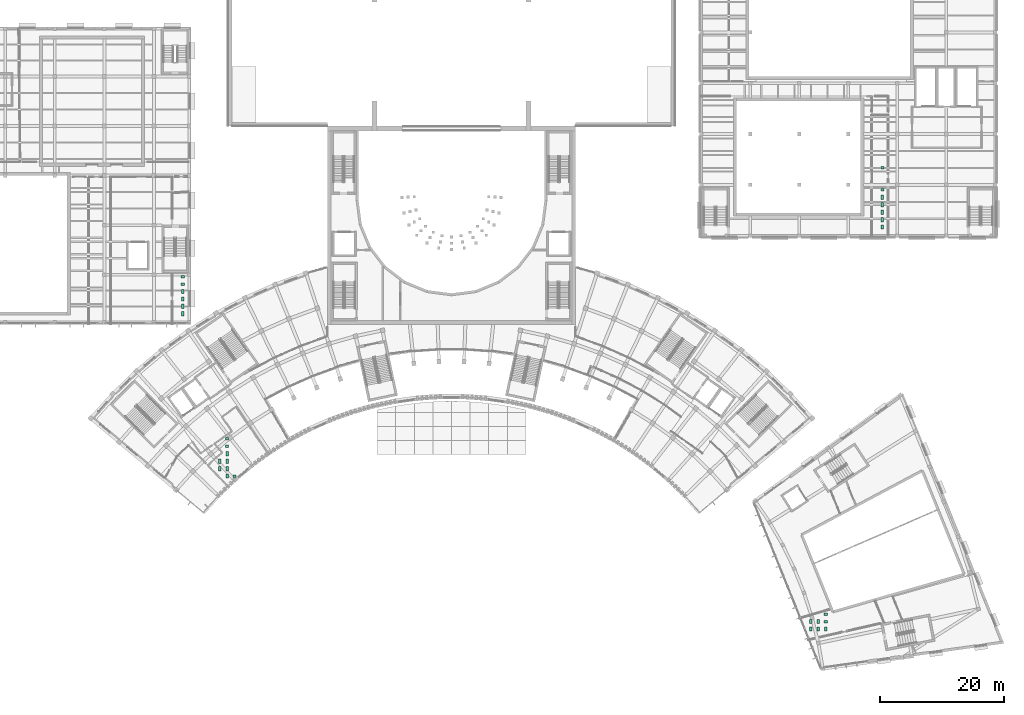
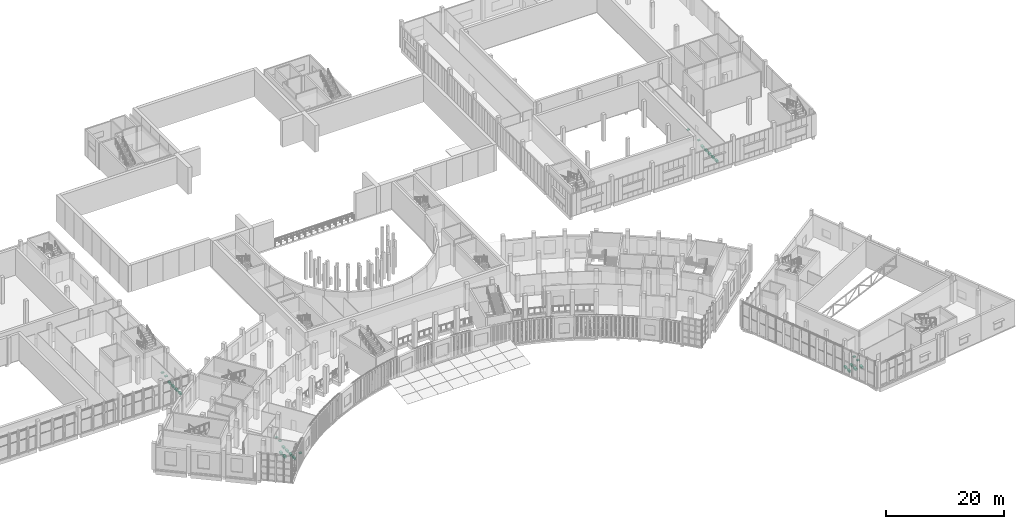
# One storey, part 112 of 112: 29 sanitary terminals.
"""IFC4 building model written with IfcOpenShell, lengths in metres."""

from ifc_helpers import new_model, si_unit, direction, frame, origin, origin_2d, place, context, subcontext, project, spatial, rectangle, extrude, material, type_object, element, save


model = new_model("IFC4")

# Units and contexts
model_context = context("Model", 3, precision=1e-05, world=origin(), true_north=direction((0.0, 1.0)))
body_context = subcontext(model_context, "Body", "Model", "MODEL_VIEW")
ifc_project = project(units=[si_unit("LENGTHUNIT", "METRE"), si_unit("AREAUNIT", "SQUARE_METRE"), si_unit("VOLUMEUNIT", "CUBIC_METRE"), si_unit("PLANEANGLEUNIT", "RADIAN"), si_unit("MASSUNIT", "GRAM", prefix="KILO")], contexts=[model_context])

# Site, building, storey
site_placement = place(None, origin())
site = spatial("IfcSite", under=ifc_project, at=site_placement, CompositionType="ELEMENT")
building_placement = place(site_placement, origin())
building = spatial("IfcBuilding", under=site, at=building_placement, Name="Lunette Opera House", CompositionType="ELEMENT")
storey_placement = place(building_placement, frame((0.0, 0.0, 6.0)))
storey = spatial("IfcBuildingStorey", under=building, at=storey_placement, Name="L01", CompositionType="ELEMENT", Elevation=6.0)

# Sanitary terminals
ifc_material_1 = material(Name="Ceramic")
sanitary_terminal_type_1 = type_object("IfcSanitaryTerminalType", Name="WASH BASIN", PredefinedType="WASHHANDBASIN", material=ifc_material_1)
for number, where, z_axis, x_axis, name in (
    (1, (59.806884765625, 44.3330078125, 0.7001953125), (0.0, 0.0, 1.0), (1.0, 0.0, 0.0), "Wash basin Public WC L01"),
    (2, (59.806884765625, 45.532958984375, 0.7001953125), (0.0, 0.0, 1.0), (1.0, 0.0, 0.0), "Wash basin Public WC L01"),
    (3, (61.007080078125, 39.532958984375, 0.7001953125), (0.0, 0.0, 1.0), (1.0, 0.0, 0.0), "Wash basin Public WC L01"),
    (4, (52.64208984375, 70.5, 0.7001953125), (0.0, 0.0, 1.0), (1.0, 0.0, 0.0), "Wash basin Artists' WC"),
    (5, (52.64208984375, 71.699951171875, 0.7001953125), (0.0, 0.0, 1.0), (1.0, 0.0, 0.0), "Wash basin Artists' WC"),
    (6, (165.52197265625, 85.699951171875, 0.7001953125), (0.0, 0.0, 1.0), (1.0, 0.0, 0.0), "Wash basin Workshop WC L01"),
    (7, (165.52197265625, 89.300048828125, 0.7001953125), (0.0, 0.0, 1.0), (1.0, 0.0, 0.0), "Wash basin Workshop WC L01"),
    (8, (156.368896484375, 16.05908203125, 0.7001953125), (0.0, 0.0, 1.0), (1.0, 0.0, 0.0), "Wash basin Studio WC L01"),
    (9, (156.368896484375, 17.259033203125, 0.7001953125), (0.0, 0.0, 1.0), (1.0, 0.0, 0.0), "Wash basin Studio WC L01"),
):
    element("IfcSanitaryTerminal", number, at=place(storey_placement, frame(where, z_axis=z_axis, x_axis=x_axis)), inside=storey, type_object=sanitary_terminal_type_1, Name=name, PredefinedType="WASHHANDBASIN", context=body_context, shape_type="SweptSolid", body=[
        extrude(rectangle(XDim=0.5, YDim=0.39990234375, at=origin_2d()), origin(), (0.0, 0.0, 1.0), 0.199951171875),
    ])
ifc_material_2 = material(Name="Ceramic")
sanitary_terminal_type_2 = type_object("IfcSanitaryTerminalType", Name="WC PAN", PredefinedType="TOILETPAN", material=ifc_material_2)
for number, where, z_axis, x_axis, name in (
    (10, (58.60693359375, 40.73291015625, 0.0), (0.0, 0.0, 1.0), (1.0, 0.0, 0.0), "WC pan Public WC L01"),
    (11, (58.60693359375, 41.93310546875, 0.0), (0.0, 0.0, 1.0), (1.0, 0.0, 0.0), "WC pan Public WC L01"),
    (12, (59.806884765625, 39.532958984375, 0.0), (0.0, 0.0, 1.0), (1.0, 0.0, 0.0), "WC pan Public WC L01"),
    (13, (59.806884765625, 40.73291015625, 0.0), (0.0, 0.0, 1.0), (1.0, 0.0, 0.0), "WC pan Public WC L01"),
    (14, (59.806884765625, 41.93310546875, 0.0), (0.0, 0.0, 1.0), (1.0, 0.0, 0.0), "WC pan Public WC L01"),
    (15, (59.806884765625, 43.133056640625, 0.0), (0.0, 0.0, 1.0), (1.0, 0.0, 0.0), "WC pan Public WC L01"),
    (16, (52.64208984375, 65.699951171875, 0.0), (0.0, 0.0, 1.0), (1.0, 0.0, 0.0), "WC pan Artists' WC"),
    (17, (52.64208984375, 66.89990234375, 0.0), (0.0, 0.0, 1.0), (1.0, 0.0, 0.0), "WC pan Artists' WC"),
    (18, (52.64208984375, 68.10009765625, 0.0), (0.0, 0.0, 1.0), (1.0, 0.0, 0.0), "WC pan Artists' WC"),
    (19, (52.64208984375, 69.300048828125, 0.0), (0.0, 0.0, 1.0), (1.0, 0.0, 0.0), "WC pan Artists' WC"),
    (20, (165.52197265625, 79.699951171875, 0.0), (0.0, 0.0, 1.0), (1.0, 0.0, 0.0), "WC pan Workshop WC L01"),
    (21, (165.52197265625, 80.89990234375, 0.0), (0.0, 0.0, 1.0), (1.0, 0.0, 0.0), "WC pan Workshop WC L01"),
    (22, (165.52197265625, 82.10009765625, 0.0), (0.0, 0.0, 1.0), (1.0, 0.0, 0.0), "WC pan Workshop WC L01"),
    (23, (165.52197265625, 83.300048828125, 0.0), (0.0, 0.0, 1.0), (1.0, 0.0, 0.0), "WC pan Workshop WC L01"),
    (24, (165.52197265625, 84.5, 0.0), (0.0, 0.0, 1.0), (1.0, 0.0, 0.0), "WC pan Workshop WC L01"),
    (25, (153.968994140625, 14.85888671875, 0.0), (0.0, 0.0, 1.0), (1.0, 0.0, 0.0), "WC pan Studio WC L01"),
    (26, (153.968994140625, 16.05908203125, 0.0), (0.0, 0.0, 1.0), (1.0, 0.0, 0.0), "WC pan Studio WC L01"),
    (27, (155.1689453125, 14.85888671875, 0.0), (0.0, 0.0, 1.0), (1.0, 0.0, 0.0), "WC pan Studio WC L01"),
    (28, (155.1689453125, 16.05908203125, 0.0), (0.0, 0.0, 1.0), (1.0, 0.0, 0.0), "WC pan Studio WC L01"),
    (29, (156.368896484375, 14.85888671875, 0.0), (0.0, 0.0, 1.0), (1.0, 0.0, 0.0), "WC pan Studio WC L01"),
):
    element("IfcSanitaryTerminal", number, at=place(storey_placement, frame(where, z_axis=z_axis, x_axis=x_axis)), inside=storey, type_object=sanitary_terminal_type_2, Name=name, PredefinedType="TOILETPAN", context=body_context, shape_type="SweptSolid", body=[
        extrude(rectangle(XDim=0.39990234375, YDim=0.699951171875, at=origin_2d()), origin(), (0.0, 0.0, 1.0), 0.39990234375),
    ])

save(model, "model.ifc")
